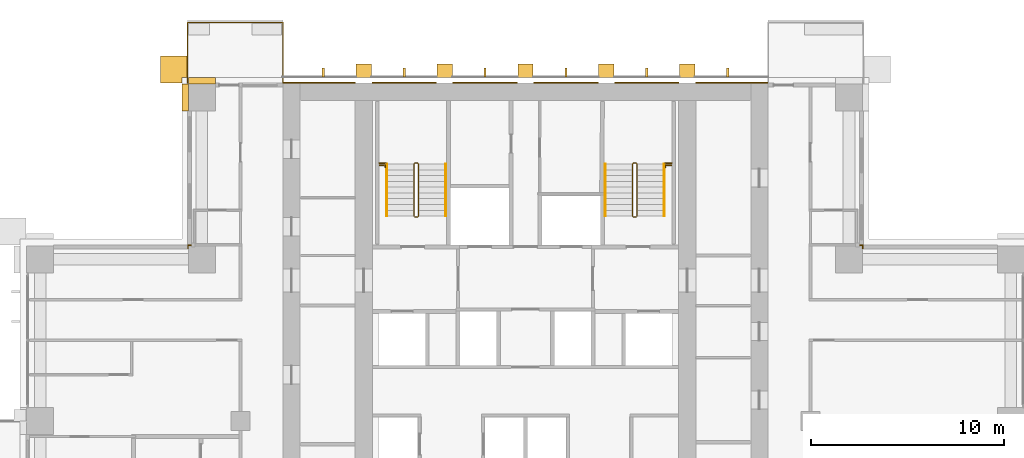
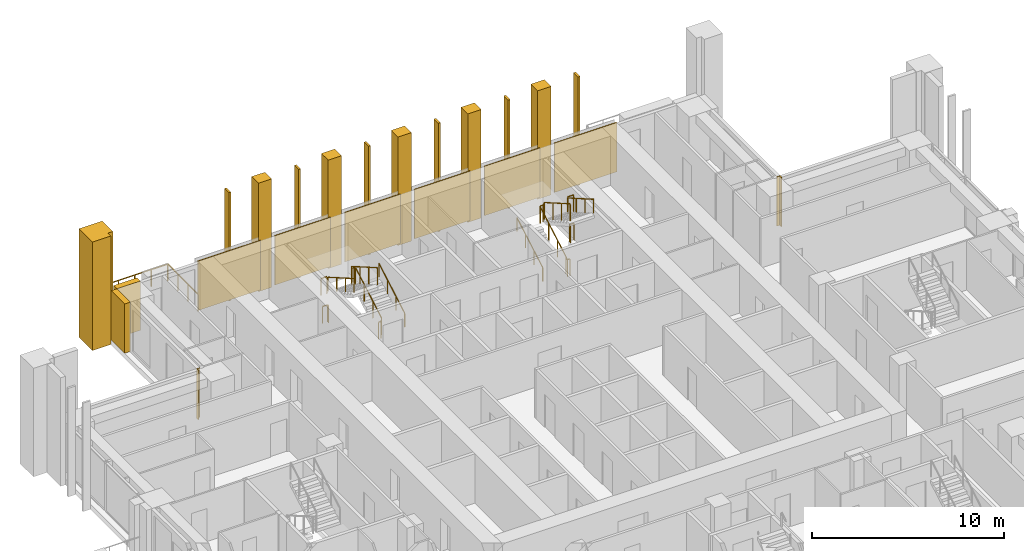
# One storey, part 18 of 19: 22 coverings, 11 railings.
"""IFC4 building model written with IfcOpenShell, lengths in metres."""

from ifc_helpers import new_model, si_unit, direction, frame, origin, origin_2d, place, context, subcontext, project, spatial, polyline, rectangle, outline, extrude, material, layer, layer_set, type_object, element, save


model = new_model("IFC4")

# Units and contexts
model_context = context("Model", 3, precision=1e-05, world=origin(), true_north=direction((0.0, 1.0)))
body_context = subcontext(model_context, "Body", "Model", "MODEL_VIEW")
ifc_project = project(units=[si_unit("LENGTHUNIT", "METRE"), si_unit("AREAUNIT", "SQUARE_METRE"), si_unit("VOLUMEUNIT", "CUBIC_METRE"), si_unit("PLANEANGLEUNIT", "RADIAN"), si_unit("MASSUNIT", "GRAM", prefix="KILO")], contexts=[model_context])

# Site, building, storey
site_placement = place(None, origin())
site = spatial("IfcSite", under=ifc_project, at=site_placement, CompositionType="ELEMENT")
building_placement = place(site_placement, origin())
building = spatial("IfcBuilding", under=site, at=building_placement, Name="Vermilion Ogive Tower", CompositionType="ELEMENT")
storey_placement = place(building_placement, frame((0.0, 0.0, 48.300048828125)))
storey = spatial("IfcBuildingStorey", under=building, at=storey_placement, Name="L10", CompositionType="ELEMENT", Elevation=48.300048828125)

# Railing
ifc_material_1 = material(Name="Stainless steel and glass", Category="steel")
railing_type_1 = type_object("IfcRailingType", Name="Balcony guard", PredefinedType="GUARDRAIL", material=ifc_material_1)
railing_1_placement = place(storey_placement, frame((-12.60009765625, 21.75, -0.0400390625)))
element("IfcRailing", 1, at=railing_1_placement, inside=storey, type_object=railing_type_1, Name="Guard N201", PredefinedType="GUARDRAIL", context=body_context, shape_type="SweptSolid", body=[
    extrude(rectangle(XDim=0.048095703125, YDim=0.048095703125, at=origin_2d()), frame((0.0, 0.0, 1.076171875), z_axis=(0.0, 1.0, 0.0), x_axis=(-1.0, 0.0, 0.0)), (0.0, 0.0, 1.0), 3.159912109375),
    extrude(rectangle(XDim=0.048095703125, YDim=0.048095703125, at=origin_2d()), frame((0.0, 3.159912109375, 1.076171875), z_axis=(-1.0, 0.0, 0.0), x_axis=(0.0, -1.0, 0.0)), (0.0, 0.0, 1.0), 4.949951171875),
    extrude(rectangle(XDim=0.048095703125, YDim=0.048095703125, at=origin_2d()), frame((-4.949951171875, 3.159912109375, 1.076171875), z_axis=(0.0, -1.0, 0.0), x_axis=(1.0, 0.0, 0.0)), (0.0, 0.0, 1.0), 3.159912109375),
    extrude(rectangle(XDim=0.0419921875, YDim=0.0419921875, at=origin_2d()), origin(), (0.0, 0.0, 1.0), 1.052001953125),
    extrude(rectangle(XDim=0.0419921875, YDim=0.0419921875, at=origin_2d()), frame((0.0, 1.05322265625, 0.0)), (0.0, 0.0, 1.0), 1.052001953125),
    extrude(rectangle(XDim=0.0419921875, YDim=0.0419921875, at=origin_2d()), frame((0.0, 2.106689453125, 0.0)), (0.0, 0.0, 1.0), 1.052001953125),
    extrude(rectangle(XDim=0.0419921875, YDim=0.0419921875, at=origin_2d()), frame((0.0, 3.159912109375, 0.0)), (0.0, 0.0, 1.0), 1.052001953125),
    extrude(rectangle(XDim=0.0419921875, YDim=0.0419921875, at=origin_2d()), frame((-0.989990234375, 3.159912109375, 0.0)), (0.0, 0.0, 1.0), 1.052001953125),
    extrude(rectangle(XDim=0.0419921875, YDim=0.0419921875, at=origin_2d()), frame((-1.97998046875, 3.159912109375, 0.0)), (0.0, 0.0, 1.0), 1.052001953125),
    extrude(rectangle(XDim=0.0419921875, YDim=0.0419921875, at=origin_2d()), frame((-2.969970703125, 3.159912109375, 0.0)), (0.0, 0.0, 1.0), 1.052001953125),
    extrude(rectangle(XDim=0.0419921875, YDim=0.0419921875, at=origin_2d()), frame((-3.9599609375, 3.159912109375, 0.0)), (0.0, 0.0, 1.0), 1.052001953125),
    extrude(rectangle(XDim=0.0419921875, YDim=0.0419921875, at=origin_2d()), frame((-4.949951171875, 3.159912109375, 0.0)), (0.0, 0.0, 1.0), 1.052001953125),
    extrude(rectangle(XDim=0.0419921875, YDim=0.0419921875, at=origin_2d()), frame((-4.949951171875, 2.106689453125, 0.0)), (0.0, 0.0, 1.0), 1.052001953125),
    extrude(rectangle(XDim=0.0419921875, YDim=0.0419921875, at=origin_2d()), frame((-4.949951171875, 1.05322265625, 0.0)), (0.0, 0.0, 1.0), 1.052001953125),
    extrude(rectangle(XDim=0.0419921875, YDim=0.0419921875, at=origin_2d()), frame((-4.949951171875, 0.0, 0.0)), (0.0, 0.0, 1.0), 1.052001953125),
])

# Coverings
ifc_material_2 = material(Name="Glazed ceramic screen")
ifc_layer = layer(ifc_material_2, 0.14990234375)
ifc_layer_set = layer_set([ifc_layer], Name="Ceramic solar screen fin")
covering_type_1 = type_object("IfcCoveringType", Name="Ceramic solar screen fin", PredefinedType="CLADDING", material=ifc_layer_set)
covering_1_placement = place(storey_placement, frame((0.0, 0.0, -0.320068359375)))
element("IfcCovering", 2, at=covering_1_placement, inside=storey, type_object=covering_type_1, Name="Solar screen blade N1", PredefinedType="CLADDING", context=body_context, shape_type="SweptSolid", body=[
    extrude(outline(polyline([(-10.56005859375, 22.08203125), (-10.43994140625, 22.08203125), (-10.43994140625, 22.531982421875), (-10.56005859375, 22.531982421875), (-10.56005859375, 22.08203125)])), origin(), (0.0, 0.0, 1.0), 6.89990234375),
])
covering_2_placement = place(storey_placement, frame((0.0, 0.0, -0.320068359375)))
element("IfcCovering", 3, at=covering_2_placement, inside=storey, type_object=covering_type_1, Name="Solar screen blade N2", PredefinedType="CLADDING", context=body_context, shape_type="SweptSolid", body=[
    extrude(outline(polyline([(-6.360107421875, 22.08203125), (-6.239990234375, 22.08203125), (-6.239990234375, 22.531982421875), (-6.360107421875, 22.531982421875), (-6.360107421875, 22.08203125)])), origin(), (0.0, 0.0, 1.0), 6.89990234375),
])
covering_3_placement = place(storey_placement, frame((0.0, 0.0, -0.320068359375)))
element("IfcCovering", 4, at=covering_3_placement, inside=storey, type_object=covering_type_1, Name="Solar screen blade N3", PredefinedType="CLADDING", context=body_context, shape_type="SweptSolid", body=[
    extrude(outline(polyline([(-2.159912109375, 22.08203125), (-2.0400390625, 22.08203125), (-2.0400390625, 22.531982421875), (-2.159912109375, 22.531982421875), (-2.159912109375, 22.08203125)])), origin(), (0.0, 0.0, 1.0), 6.89990234375),
])
covering_4_placement = place(storey_placement, frame((0.0, 0.0, -0.320068359375)))
element("IfcCovering", 5, at=covering_4_placement, inside=storey, type_object=covering_type_1, Name="Solar screen blade N4", PredefinedType="CLADDING", context=body_context, shape_type="SweptSolid", body=[
    extrude(outline(polyline([(2.0400390625, 22.08203125), (2.159912109375, 22.08203125), (2.159912109375, 22.531982421875), (2.0400390625, 22.531982421875), (2.0400390625, 22.08203125)])), origin(), (0.0, 0.0, 1.0), 6.89990234375),
])
covering_5_placement = place(storey_placement, frame((0.0, 0.0, -0.320068359375)))
element("IfcCovering", 6, at=covering_5_placement, inside=storey, type_object=covering_type_1, Name="Solar screen blade N5", PredefinedType="CLADDING", context=body_context, shape_type="SweptSolid", body=[
    extrude(outline(polyline([(6.239990234375, 22.08203125), (6.360107421875, 22.08203125), (6.360107421875, 22.531982421875), (6.239990234375, 22.531982421875), (6.239990234375, 22.08203125)])), origin(), (0.0, 0.0, 1.0), 6.89990234375),
])
covering_6_placement = place(storey_placement, frame((0.0, 0.0, -0.320068359375)))
element("IfcCovering", 7, at=covering_6_placement, inside=storey, type_object=covering_type_1, Name="Solar screen blade N6", PredefinedType="CLADDING", context=body_context, shape_type="SweptSolid", body=[
    extrude(outline(polyline([(10.43994140625, 22.08203125), (10.56005859375, 22.08203125), (10.56005859375, 22.531982421875), (10.43994140625, 22.531982421875), (10.43994140625, 22.08203125)])), origin(), (0.0, 0.0, 1.0), 6.89990234375),
])

# Railings
ifc_material_3 = material(Name="Steel S355 painted", Category="steel")
railing_type_2 = type_object("IfcRailingType", Name="Stair guard 1100", PredefinedType="GUARDRAIL", material=ifc_material_3)
railing_2_placement = place(storey_placement, frame((-5.75, 14.800048828125, 0.0)))
element("IfcRailing", 8, at=railing_2_placement, inside=storey, type_object=railing_type_2, Name="L10 ST1 stair guard 4", PredefinedType="GUARDRAIL", context=body_context, shape_type="SweptSolid", body=[
    extrude(rectangle(XDim=0.048095703125, YDim=0.048095703125, at=origin_2d()), frame((0.0, 0.0, 1.076171875), z_axis=(1.0, 0.0, 0.0), x_axis=(0.0, 1.0, 0.0)), (0.0, 0.0, 1.0), 0.14990234375),
    extrude(rectangle(XDim=0.048095703125, YDim=0.048095703125, at=origin_2d()), frame((0.14990234375, 0.0, 1.076171875), z_axis=(0.268603158521, 0.268603158521, 0.925043072762), x_axis=(-0.707106781187, 0.707106781187, 0.0)), (0.0, 0.0, 1.0), 0.186279296875),
    extrude(rectangle(XDim=0.048095703125, YDim=0.048095703125, at=origin_2d()), frame((0.199951171875, 0.050048828125, 1.24853515625), z_axis=(0.0, 0.866903762492, 0.498475542607), x_axis=(-1.0, 0.0, 0.0)), (0.0, 0.0, 1.0), 3.114501953125),
    extrude(rectangle(XDim=0.048095703125, YDim=0.048095703125, at=origin_2d()), frame((0.199951171875, 2.75, 2.80078125), z_axis=(-0.707106781187, 0.707106781187, 0.0), x_axis=(-0.707106781187, -0.707106781187, 0.0)), (0.0, 0.0, 1.0), 0.07080078125),
    extrude(rectangle(XDim=0.048095703125, YDim=0.048095703125, at=origin_2d()), frame((0.14990234375, 2.800048828125, 2.80078125), z_axis=(-1.0, 0.0, 0.0), x_axis=(0.0, -1.0, 0.0)), (0.0, 0.0, 1.0), 0.14990234375),
    extrude(rectangle(XDim=0.048095703125, YDim=0.048095703125, at=origin_2d()), frame((0.0, 2.800048828125, 2.80078125), z_axis=(-0.268277960024, -0.268277960024, 0.925231793839), x_axis=(0.707106781187, -0.707106781187, 0.0)), (0.0, 0.0, 1.0), 0.1865234375),
    extrude(rectangle(XDim=0.048095703125, YDim=0.048095703125, at=origin_2d()), frame((-0.050048828125, 2.75, 2.9736328125), z_axis=(0.0, -0.866903762492, 0.498475542607), x_axis=(1.0, 0.0, 0.0)), (0.0, 0.0, 1.0), 3.114501953125),
    extrude(rectangle(XDim=0.0419921875, YDim=0.0419921875, at=origin_2d()), origin(), (0.0, 0.0, 1.0), 1.052001953125),
    extrude(rectangle(XDim=0.0419921875, YDim=0.0419921875, at=origin_2d()), frame((0.14990234375, 0.0, 0.0)), (0.0, 0.0, 1.0), 1.052001953125),
    extrude(rectangle(XDim=0.0419921875, YDim=0.0419921875, at=origin_2d()), frame((0.199951171875, 0.050048828125, 0.17236328125)), (0.0, 0.0, 1.0), 1.052001953125),
    extrude(rectangle(XDim=0.0419921875, YDim=0.0419921875, at=origin_2d()), frame((0.199951171875, 0.949951171875, 0.68994140625)), (0.0, 0.0, 1.0), 1.052001953125),
    extrude(rectangle(XDim=0.0419921875, YDim=0.0419921875, at=origin_2d()), frame((0.199951171875, 1.85009765625, 1.207275390625)), (0.0, 0.0, 1.0), 1.052001953125),
    extrude(rectangle(XDim=0.0419921875, YDim=0.0419921875, at=origin_2d()), frame((0.199951171875, 2.75, 1.724853515625)), (0.0, 0.0, 1.0), 1.052001953125),
    extrude(rectangle(XDim=0.0419921875, YDim=0.0419921875, at=origin_2d()), frame((0.14990234375, 2.800048828125, 1.724853515625)), (0.0, 0.0, 1.0), 1.052001953125),
    extrude(rectangle(XDim=0.0419921875, YDim=0.0419921875, at=origin_2d()), frame((0.0, 2.800048828125, 1.724853515625)), (0.0, 0.0, 1.0), 1.052001953125),
    extrude(rectangle(XDim=0.0419921875, YDim=0.0419921875, at=origin_2d()), frame((-0.050048828125, 2.75, 1.8974609375)), (0.0, 0.0, 1.0), 1.052001953125),
    extrude(rectangle(XDim=0.0419921875, YDim=0.0419921875, at=origin_2d()), frame((-0.050048828125, 1.85009765625, 2.4150390625)), (0.0, 0.0, 1.0), 1.052001953125),
    extrude(rectangle(XDim=0.0419921875, YDim=0.0419921875, at=origin_2d()), frame((-0.050048828125, 0.949951171875, 2.932373046875)), (0.0, 0.0, 1.0), 1.052001953125),
    extrude(rectangle(XDim=0.0419921875, YDim=0.0419921875, at=origin_2d()), frame((-0.050048828125, 0.050048828125, 3.449951171875)), (0.0, 0.0, 1.0), 1.052001953125),
])
railing_3_placement = place(storey_placement, frame((5.75, 14.800048828125, 0.0)))
element("IfcRailing", 9, at=railing_3_placement, inside=storey, type_object=railing_type_2, Name="L10 ST2 stair guard 4", PredefinedType="GUARDRAIL", context=body_context, shape_type="SweptSolid", body=[
    extrude(rectangle(XDim=0.048095703125, YDim=0.048095703125, at=origin_2d()), frame((0.0, 0.0, 1.076171875), z_axis=(-1.0, 0.0, 0.0), x_axis=(0.0, -1.0, 0.0)), (0.0, 0.0, 1.0), 0.14990234375),
    extrude(rectangle(XDim=0.048095703125, YDim=0.048095703125, at=origin_2d()), frame((-0.14990234375, 0.0, 1.076171875), z_axis=(-0.268603158521, 0.268603158521, 0.925043072762), x_axis=(-0.707106781187, -0.707106781187, 0.0)), (0.0, 0.0, 1.0), 0.186279296875),
    extrude(rectangle(XDim=0.048095703125, YDim=0.048095703125, at=origin_2d()), frame((-0.199951171875, 0.050048828125, 1.24853515625), z_axis=(0.0, 0.866903762492, 0.498475542607), x_axis=(-1.0, 0.0, 0.0)), (0.0, 0.0, 1.0), 3.114501953125),
    extrude(rectangle(XDim=0.048095703125, YDim=0.048095703125, at=origin_2d()), frame((-0.199951171875, 2.75, 2.80078125), z_axis=(0.707106781187, 0.707106781187, 0.0), x_axis=(-0.707106781187, 0.707106781187, 0.0)), (0.0, 0.0, 1.0), 0.07080078125),
    extrude(rectangle(XDim=0.048095703125, YDim=0.048095703125, at=origin_2d()), frame((-0.14990234375, 2.800048828125, 2.80078125), z_axis=(1.0, 0.0, 0.0), x_axis=(0.0, 1.0, 0.0)), (0.0, 0.0, 1.0), 0.14990234375),
    extrude(rectangle(XDim=0.048095703125, YDim=0.048095703125, at=origin_2d()), frame((0.0, 2.800048828125, 2.80078125), z_axis=(0.268277960024, -0.268277960024, 0.925231793839), x_axis=(0.707106781187, 0.707106781187, 0.0)), (0.0, 0.0, 1.0), 0.1865234375),
    extrude(rectangle(XDim=0.048095703125, YDim=0.048095703125, at=origin_2d()), frame((0.050048828125, 2.75, 2.9736328125), z_axis=(0.0, -0.866903762492, 0.498475542607), x_axis=(1.0, 0.0, 0.0)), (0.0, 0.0, 1.0), 3.114501953125),
    extrude(rectangle(XDim=0.0419921875, YDim=0.0419921875, at=origin_2d()), origin(), (0.0, 0.0, 1.0), 1.052001953125),
    extrude(rectangle(XDim=0.0419921875, YDim=0.0419921875, at=origin_2d()), frame((-0.14990234375, 0.0, 0.0)), (0.0, 0.0, 1.0), 1.052001953125),
    extrude(rectangle(XDim=0.0419921875, YDim=0.0419921875, at=origin_2d()), frame((-0.199951171875, 0.050048828125, 0.17236328125)), (0.0, 0.0, 1.0), 1.052001953125),
    extrude(rectangle(XDim=0.0419921875, YDim=0.0419921875, at=origin_2d()), frame((-0.199951171875, 0.949951171875, 0.68994140625)), (0.0, 0.0, 1.0), 1.052001953125),
    extrude(rectangle(XDim=0.0419921875, YDim=0.0419921875, at=origin_2d()), frame((-0.199951171875, 1.85009765625, 1.207275390625)), (0.0, 0.0, 1.0), 1.052001953125),
    extrude(rectangle(XDim=0.0419921875, YDim=0.0419921875, at=origin_2d()), frame((-0.199951171875, 2.75, 1.724853515625)), (0.0, 0.0, 1.0), 1.052001953125),
    extrude(rectangle(XDim=0.0419921875, YDim=0.0419921875, at=origin_2d()), frame((-0.14990234375, 2.800048828125, 1.724853515625)), (0.0, 0.0, 1.0), 1.052001953125),
    extrude(rectangle(XDim=0.0419921875, YDim=0.0419921875, at=origin_2d()), frame((0.0, 2.800048828125, 1.724853515625)), (0.0, 0.0, 1.0), 1.052001953125),
    extrude(rectangle(XDim=0.0419921875, YDim=0.0419921875, at=origin_2d()), frame((0.050048828125, 2.75, 1.8974609375)), (0.0, 0.0, 1.0), 1.052001953125),
    extrude(rectangle(XDim=0.0419921875, YDim=0.0419921875, at=origin_2d()), frame((0.050048828125, 1.85009765625, 2.4150390625)), (0.0, 0.0, 1.0), 1.052001953125),
    extrude(rectangle(XDim=0.0419921875, YDim=0.0419921875, at=origin_2d()), frame((0.050048828125, 0.949951171875, 2.932373046875)), (0.0, 0.0, 1.0), 1.052001953125),
    extrude(rectangle(XDim=0.0419921875, YDim=0.0419921875, at=origin_2d()), frame((0.050048828125, 0.050048828125, 3.449951171875)), (0.0, 0.0, 1.0), 1.052001953125),
])
for number, where, name in (
    (10, (-7.60009765625, 17.60009765625, 1.724853515625), "L10 landing guard"),
    (11, (7.25, 17.60009765625, 1.724853515625), "L10 landing guard"),
):
    element("IfcRailing", number, at=place(storey_placement, frame(where)), inside=storey, type_object=railing_type_2, Name=name, PredefinedType="GUARDRAIL", context=body_context, shape_type="SweptSolid", body=[
        extrude(rectangle(XDim=0.048095703125, YDim=0.048095703125, at=origin_2d()), frame((0.0, 0.0, 1.076171875), z_axis=(1.0, 0.0, 0.0), x_axis=(0.0, 1.0, 0.0)), (0.0, 0.0, 1.0), 0.35009765625),
        extrude(rectangle(XDim=0.0419921875, YDim=0.0419921875, at=origin_2d()), origin(), (0.0, 0.0, 1.0), 1.052001953125),
        extrude(rectangle(XDim=0.0419921875, YDim=0.0419921875, at=origin_2d()), frame((0.35009765625, 0.0, 0.0)), (0.0, 0.0, 1.0), 1.052001953125),
    ])
railing_4_placement = place(storey_placement, frame((-7.56298828125, 17.49462890625, 0.0)))
element("IfcRailing", 12, at=railing_4_placement, inside=storey, type_object=railing_type_2, Name="L10 stair opening guard", PredefinedType="GUARDRAIL", context=body_context, shape_type="SweptSolid", body=[
    extrude(rectangle(XDim=0.048095703125, YDim=0.048095703125, at=origin_2d()), frame((0.0, 0.0, 1.076171875), z_axis=(1.0, 0.0, 0.0), x_axis=(0.0, 1.0, 0.0)), (0.0, 0.0, 1.0), 0.2900390625),
    extrude(rectangle(XDim=0.048095703125, YDim=0.048095703125, at=origin_2d()), frame((0.2900390625, 0.0, 1.076171875), z_axis=(0.0, -1.0, 0.0), x_axis=(1.0, 0.0, 0.0)), (0.0, 0.0, 1.0), 0.1201171875),
    extrude(rectangle(XDim=0.0419921875, YDim=0.0419921875, at=origin_2d()), origin(), (0.0, 0.0, 1.0), 1.052001953125),
    extrude(rectangle(XDim=0.0419921875, YDim=0.0419921875, at=origin_2d()), frame((0.2900390625, 0.0, 0.0)), (0.0, 0.0, 1.0), 1.052001953125),
    extrude(rectangle(XDim=0.0419921875, YDim=0.0419921875, at=origin_2d()), frame((0.2900390625, -0.1201171875, 0.0)), (0.0, 0.0, 1.0), 1.052001953125),
])
railing_5_placement = place(storey_placement, frame((7.27294921875, 17.37451171875, 0.0)))
element("IfcRailing", 13, at=railing_5_placement, inside=storey, type_object=railing_type_2, Name="L10 stair opening guard", PredefinedType="GUARDRAIL", context=body_context, shape_type="SweptSolid", body=[
    extrude(rectangle(XDim=0.048095703125, YDim=0.048095703125, at=origin_2d()), frame((0.0, 0.0, 1.076171875), z_axis=(0.0, 1.0, 0.0), x_axis=(-1.0, 0.0, 0.0)), (0.0, 0.0, 1.0), 0.1201171875),
    extrude(rectangle(XDim=0.048095703125, YDim=0.048095703125, at=origin_2d()), frame((0.0, 0.1201171875, 1.076171875), z_axis=(1.0, 0.0, 0.0), x_axis=(0.0, 1.0, 0.0)), (0.0, 0.0, 1.0), 0.2900390625),
    extrude(rectangle(XDim=0.0419921875, YDim=0.0419921875, at=origin_2d()), origin(), (0.0, 0.0, 1.0), 1.052001953125),
    extrude(rectangle(XDim=0.0419921875, YDim=0.0419921875, at=origin_2d()), frame((0.0, 0.1201171875, 0.0)), (0.0, 0.0, 1.0), 1.052001953125),
    extrude(rectangle(XDim=0.0419921875, YDim=0.0419921875, at=origin_2d()), frame((0.2900390625, 0.1201171875, 0.0)), (0.0, 0.0, 1.0), 1.052001953125),
])
ifc_material_4 = material(Name="Stainless steel", Category="steel")
railing_type_3 = type_object("IfcRailingType", Name="Stair handrail 900", PredefinedType="HANDRAIL", material=ifc_material_4)
railing_6_placement = place(storey_placement, frame((-4.14990234375, 14.85009765625, 0.17236328125)))
element("IfcRailing", 14, at=railing_6_placement, inside=storey, type_object=railing_type_3, Name="L10 ST1 stair handrail 1", PredefinedType="HANDRAIL", context=body_context, shape_type="SweptSolid", body=[
    extrude(rectangle(XDim=0.048095703125, YDim=0.048095703125, at=origin_2d()), frame((0.0, 0.0, 0.8759765625), z_axis=(0.0, 0.866903762492, 0.498475542607), x_axis=(-1.0, 0.0, 0.0)), (0.0, 0.0, 1.0), 3.114501953125),
    extrude(rectangle(XDim=0.0419921875, YDim=0.0419921875, at=origin_2d()), origin(), (0.0, 0.0, 1.0), 0.851806640625),
    extrude(rectangle(XDim=0.0419921875, YDim=0.0419921875, at=origin_2d()), frame((0.0, 0.89990234375, 0.517578125)), (0.0, 0.0, 1.0), 0.851806640625),
    extrude(rectangle(XDim=0.0419921875, YDim=0.0419921875, at=origin_2d()), frame((0.0, 1.800048828125, 1.034912109375)), (0.0, 0.0, 1.0), 0.851806640625),
    extrude(rectangle(XDim=0.0419921875, YDim=0.0419921875, at=origin_2d()), frame((0.0, 2.699951171875, 1.552490234375)), (0.0, 0.0, 1.0), 0.851806640625),
])
railing_7_placement = place(storey_placement, frame((-7.199951171875, 17.550048828125, 1.8974609375)))
element("IfcRailing", 15, at=railing_7_placement, inside=storey, type_object=railing_type_3, Name="L10 ST1 stair handrail 2", PredefinedType="HANDRAIL", context=body_context, shape_type="SweptSolid", body=[
    extrude(rectangle(XDim=0.048095703125, YDim=0.048095703125, at=origin_2d()), frame((0.0, 0.0, 0.8759765625), z_axis=(0.0, -0.866903762492, 0.498475542607), x_axis=(1.0, 0.0, 0.0)), (0.0, 0.0, 1.0), 3.114501953125),
    extrude(rectangle(XDim=0.0419921875, YDim=0.0419921875, at=origin_2d()), origin(), (0.0, 0.0, 1.0), 0.851806640625),
    extrude(rectangle(XDim=0.0419921875, YDim=0.0419921875, at=origin_2d()), frame((0.0, -0.89990234375, 0.517578125)), (0.0, 0.0, 1.0), 0.851806640625),
    extrude(rectangle(XDim=0.0419921875, YDim=0.0419921875, at=origin_2d()), frame((0.0, -1.800048828125, 1.034912109375)), (0.0, 0.0, 1.0), 0.851806640625),
    extrude(rectangle(XDim=0.0419921875, YDim=0.0419921875, at=origin_2d()), frame((0.0, -2.699951171875, 1.552490234375)), (0.0, 0.0, 1.0), 0.851806640625),
])
railing_8_placement = place(storey_placement, frame((4.14990234375, 14.85009765625, 0.17236328125)))
element("IfcRailing", 16, at=railing_8_placement, inside=storey, type_object=railing_type_3, Name="L10 ST2 stair handrail 1", PredefinedType="HANDRAIL", context=body_context, shape_type="SweptSolid", body=[
    extrude(rectangle(XDim=0.048095703125, YDim=0.048095703125, at=origin_2d()), frame((0.0, 0.0, 0.8759765625), z_axis=(0.0, 0.866903762492, 0.498475542607), x_axis=(-1.0, 0.0, 0.0)), (0.0, 0.0, 1.0), 3.114501953125),
    extrude(rectangle(XDim=0.0419921875, YDim=0.0419921875, at=origin_2d()), origin(), (0.0, 0.0, 1.0), 0.851806640625),
    extrude(rectangle(XDim=0.0419921875, YDim=0.0419921875, at=origin_2d()), frame((0.0, 0.89990234375, 0.517578125)), (0.0, 0.0, 1.0), 0.851806640625),
    extrude(rectangle(XDim=0.0419921875, YDim=0.0419921875, at=origin_2d()), frame((0.0, 1.800048828125, 1.034912109375)), (0.0, 0.0, 1.0), 0.851806640625),
    extrude(rectangle(XDim=0.0419921875, YDim=0.0419921875, at=origin_2d()), frame((0.0, 2.699951171875, 1.552490234375)), (0.0, 0.0, 1.0), 0.851806640625),
])
railing_9_placement = place(storey_placement, frame((7.199951171875, 17.550048828125, 1.8974609375)))
element("IfcRailing", 17, at=railing_9_placement, inside=storey, type_object=railing_type_3, Name="L10 ST2 stair handrail 2", PredefinedType="HANDRAIL", context=body_context, shape_type="SweptSolid", body=[
    extrude(rectangle(XDim=0.048095703125, YDim=0.048095703125, at=origin_2d()), frame((0.0, 0.0, 0.8759765625), z_axis=(0.0, -0.866903762492, 0.498475542607), x_axis=(1.0, 0.0, 0.0)), (0.0, 0.0, 1.0), 3.114501953125),
    extrude(rectangle(XDim=0.0419921875, YDim=0.0419921875, at=origin_2d()), origin(), (0.0, 0.0, 1.0), 0.851806640625),
    extrude(rectangle(XDim=0.0419921875, YDim=0.0419921875, at=origin_2d()), frame((0.0, -0.89990234375, 0.517578125)), (0.0, 0.0, 1.0), 0.851806640625),
    extrude(rectangle(XDim=0.0419921875, YDim=0.0419921875, at=origin_2d()), frame((0.0, -1.800048828125, 1.034912109375)), (0.0, 0.0, 1.0), 0.851806640625),
    extrude(rectangle(XDim=0.0419921875, YDim=0.0419921875, at=origin_2d()), frame((0.0, -2.699951171875, 1.552490234375)), (0.0, 0.0, 1.0), 0.851806640625),
])

# Coverings
ifc_material_5 = material(Name="Stone cladding", Category="masonry")
covering_type_2 = type_object("IfcCoveringType", Name="Stone buttress pier", PredefinedType="CLADDING", material=ifc_material_5)
covering_7_placement = place(storey_placement, frame((0.0, 0.0, -0.320068359375)))
element("IfcCovering", 18, at=covering_7_placement, inside=storey, type_object=covering_type_2, Name="Stone buttress pier N1", PredefinedType="CLADDING", context=body_context, shape_type="SweptSolid", body=[
    extrude(outline(polyline([(-8.0, 22.75), (-8.0, 22.050048828125), (-8.800048828125, 22.050048828125), (-8.800048828125, 22.75), (-8.0, 22.75)])), origin(), (0.0, 0.0, 1.0), 6.89990234375),
])
covering_8_placement = place(storey_placement, frame((0.0, 0.0, -0.320068359375)))
element("IfcCovering", 19, at=covering_8_placement, inside=storey, type_object=covering_type_2, Name="Stone buttress pier N2", PredefinedType="CLADDING", context=body_context, shape_type="SweptSolid", body=[
    extrude(outline(polyline([(-3.800048828125, 22.75), (-3.800048828125, 22.050048828125), (-4.60009765625, 22.050048828125), (-4.60009765625, 22.75), (-3.800048828125, 22.75)])), origin(), (0.0, 0.0, 1.0), 6.89990234375),
])
covering_9_placement = place(storey_placement, frame((0.0, 0.0, -0.320068359375)))
element("IfcCovering", 20, at=covering_9_placement, inside=storey, type_object=covering_type_2, Name="Stone buttress pier N3", PredefinedType="CLADDING", context=body_context, shape_type="SweptSolid", body=[
    extrude(outline(polyline([(0.39990234375, 22.75), (0.39990234375, 22.050048828125), (-0.39990234375, 22.050048828125), (-0.39990234375, 22.75), (0.39990234375, 22.75)])), origin(), (0.0, 0.0, 1.0), 6.89990234375),
])
covering_10_placement = place(storey_placement, frame((0.0, 0.0, -0.320068359375)))
element("IfcCovering", 21, at=covering_10_placement, inside=storey, type_object=covering_type_2, Name="Stone buttress pier N4", PredefinedType="CLADDING", context=body_context, shape_type="SweptSolid", body=[
    extrude(outline(polyline([(4.60009765625, 22.75), (4.60009765625, 22.050048828125), (3.800048828125, 22.050048828125), (3.800048828125, 22.75), (4.60009765625, 22.75)])), origin(), (0.0, 0.0, 1.0), 6.89990234375),
])
covering_11_placement = place(storey_placement, frame((0.0, 0.0, -0.320068359375)))
element("IfcCovering", 22, at=covering_11_placement, inside=storey, type_object=covering_type_2, Name="Stone buttress pier N5", PredefinedType="CLADDING", context=body_context, shape_type="SweptSolid", body=[
    extrude(outline(polyline([(8.800048828125, 22.75), (8.800048828125, 22.050048828125), (8.0, 22.050048828125), (8.0, 22.75), (8.800048828125, 22.75)])), origin(), (0.0, 0.0, 1.0), 6.89990234375),
])
ifc_material_6 = material(Name="Stone cladding", Category="masonry")
covering_type_3 = type_object("IfcCoveringType", Name="Stone cladding panel", PredefinedType="CLADDING", material=ifc_material_6)
covering_12_placement = place(storey_placement, origin())
element("IfcCovering", 23, at=covering_12_placement, inside=storey, type_object=covering_type_3, Name="Stone cladding panel N1", PredefinedType="CLADDING", context=body_context, shape_type="SweptSolid", body=[
    extrude(outline(polyline([(-12.590087890625, 21.75), (-8.830078125, 21.75), (-8.830078125, 21.81005859375), (-12.590087890625, 21.81005859375), (-12.590087890625, 21.75)])), origin(), (0.0, 0.0, 1.0), 3.1298828125),
])
covering_13_placement = place(storey_placement, origin())
element("IfcCovering", 24, at=covering_13_placement, inside=storey, type_object=covering_type_3, Name="Stone cladding panel N2", PredefinedType="CLADDING", context=body_context, shape_type="SweptSolid", body=[
    extrude(outline(polyline([(-7.969970703125, 21.75), (-4.6298828125, 21.75), (-4.6298828125, 21.81005859375), (-7.969970703125, 21.81005859375), (-7.969970703125, 21.75)])), origin(), (0.0, 0.0, 1.0), 3.1298828125),
])
covering_14_placement = place(storey_placement, origin())
element("IfcCovering", 25, at=covering_14_placement, inside=storey, type_object=covering_type_3, Name="Stone cladding panel N3", PredefinedType="CLADDING", context=body_context, shape_type="SweptSolid", body=[
    extrude(outline(polyline([(-3.77001953125, 21.75), (-0.429931640625, 21.75), (-0.429931640625, 21.81005859375), (-3.77001953125, 21.81005859375), (-3.77001953125, 21.75)])), origin(), (0.0, 0.0, 1.0), 3.1298828125),
])
covering_15_placement = place(storey_placement, origin())
element("IfcCovering", 26, at=covering_15_placement, inside=storey, type_object=covering_type_3, Name="Stone cladding panel N4", PredefinedType="CLADDING", context=body_context, shape_type="SweptSolid", body=[
    extrude(outline(polyline([(0.429931640625, 21.75), (3.77001953125, 21.75), (3.77001953125, 21.81005859375), (0.429931640625, 21.81005859375), (0.429931640625, 21.75)])), origin(), (0.0, 0.0, 1.0), 3.1298828125),
])
covering_16_placement = place(storey_placement, origin())
element("IfcCovering", 27, at=covering_16_placement, inside=storey, type_object=covering_type_3, Name="Stone cladding panel N5", PredefinedType="CLADDING", context=body_context, shape_type="SweptSolid", body=[
    extrude(outline(polyline([(4.6298828125, 21.75), (7.969970703125, 21.75), (7.969970703125, 21.81005859375), (4.6298828125, 21.81005859375), (4.6298828125, 21.75)])), origin(), (0.0, 0.0, 1.0), 3.1298828125),
])
covering_17_placement = place(storey_placement, origin())
element("IfcCovering", 28, at=covering_17_placement, inside=storey, type_object=covering_type_3, Name="Stone cladding panel N6", PredefinedType="CLADDING", context=body_context, shape_type="SweptSolid", body=[
    extrude(outline(polyline([(8.830078125, 21.75), (12.590087890625, 21.75), (12.590087890625, 21.81005859375), (8.830078125, 21.81005859375), (8.830078125, 21.75)])), origin(), (0.0, 0.0, 1.0), 3.1298828125),
])
ifc_material_7 = material(Name="Stone cladding", Category="masonry")
covering_type_4 = type_object("IfcCoveringType", Name="Stone corner buttress", PredefinedType="CLADDING", material=ifc_material_7)
covering_18_placement = place(storey_placement, frame((0.0, 0.0, -0.320068359375)))
element("IfcCovering", 29, at=covering_18_placement, inside=storey, type_object=covering_type_4, Name="Stone corner buttress X51", PredefinedType="CLADDING", context=body_context, shape_type="SweptSolid", body=[
    extrude(outline(polyline([(-17.550048828125, 23.14990234375), (-17.550048828125, 22.050048828125), (-17.85009765625, 22.050048828125), (-17.85009765625, 21.75), (-18.949951171875, 21.75), (-18.949951171875, 23.14990234375), (-17.550048828125, 23.14990234375)])), origin(), (0.0, 0.0, 1.0), 6.89990234375),
])
ifc_material_8 = material(Name="Stone cladding", Category="masonry")
covering_type_5 = type_object("IfcCoveringType", Name="Stone pier", PredefinedType="CLADDING", material=ifc_material_8)
covering_19_placement = place(storey_placement, origin())
element("IfcCovering", 30, at=covering_19_placement, inside=storey, type_object=covering_type_5, Name="Stone corner pier X3E1", PredefinedType="CLADDING", context=body_context, shape_type="SweptSolid", body=[
    extrude(outline(polyline([(17.5, 13.14990234375), (17.5, 13.300048828125), (17.35009765625, 13.300048828125), (17.35009765625, 13.35009765625), (17.550048828125, 13.35009765625), (17.550048828125, 13.14990234375), (17.5, 13.14990234375)])), origin(), (0.0, 0.0, 1.0), 3.1298828125),
])
covering_20_placement = place(storey_placement, origin())
element("IfcCovering", 31, at=covering_20_placement, inside=storey, type_object=covering_type_5, Name="Stone corner pier X5E1", PredefinedType="CLADDING", context=body_context, shape_type="SweptSolid", body=[
    extrude(outline(polyline([(-17.35009765625, 13.300048828125), (-17.5, 13.300048828125), (-17.5, 13.14990234375), (-17.550048828125, 13.14990234375), (-17.550048828125, 13.35009765625), (-17.35009765625, 13.35009765625), (-17.35009765625, 13.300048828125)])), origin(), (0.0, 0.0, 1.0), 3.1298828125),
])
covering_21_placement = place(storey_placement, origin())
element("IfcCovering", 32, at=covering_21_placement, inside=storey, type_object=covering_type_5, Name="Stone pier P-0168+210N2", PredefinedType="CLADDING", context=body_context, shape_type="SweptSolid", body=[
    extrude(outline(polyline([(-17.5, 21.699951171875), (-17.5, 22.050048828125), (-16.10009765625, 22.050048828125), (-16.10009765625, 21.699951171875), (-17.5, 21.699951171875), (-17.5, 21.699951171875)])), origin(), (0.0, 0.0, 1.0), 3.1298828125),
])
covering_22_placement = place(storey_placement, origin())
element("IfcCovering", 33, at=covering_22_placement, inside=storey, type_object=covering_type_5, Name="Stone pier P-0168+210X5", PredefinedType="CLADDING", context=body_context, shape_type="SweptSolid", body=[
    extrude(outline(polyline([(-17.85009765625, 21.699951171875), (-17.5, 21.699951171875), (-17.5, 21.699951171875), (-17.5, 20.300048828125), (-17.85009765625, 20.300048828125), (-17.85009765625, 21.699951171875)])), origin(), (0.0, 0.0, 1.0), 3.1298828125),
])

save(model, "model.ifc")
